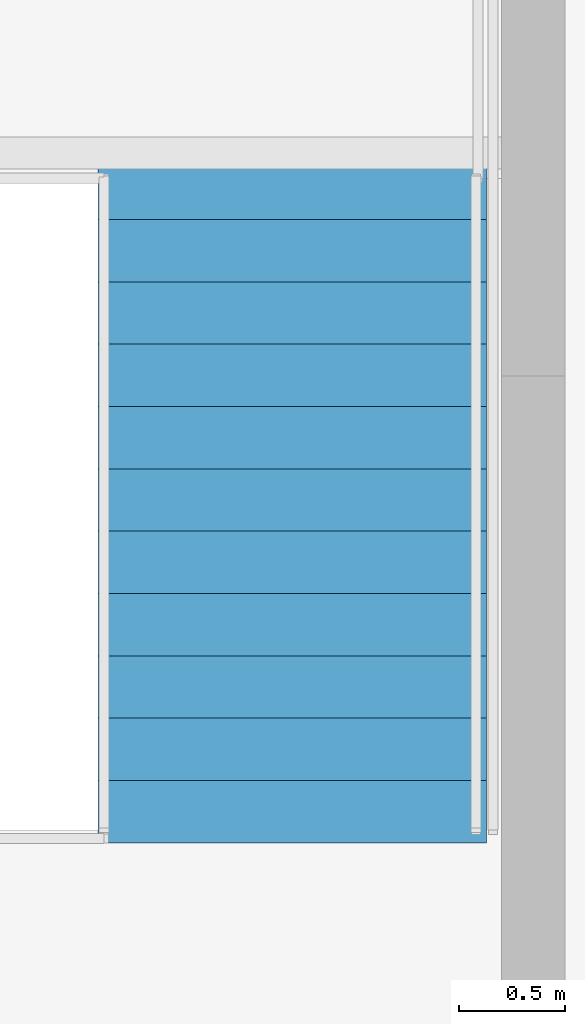
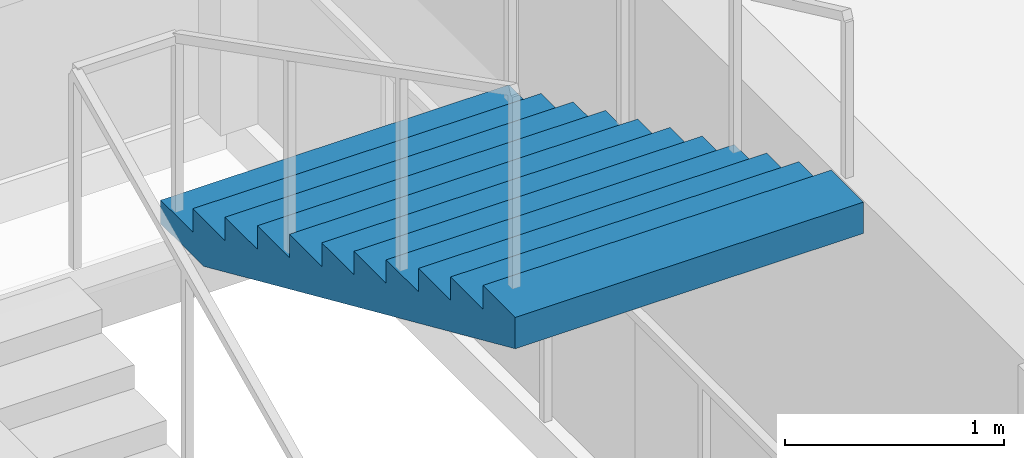
# One storey, part 51 of 54: 1 stair flight, 1 element without a shape of its own.
"""IFC4 building model written with IfcOpenShell, lengths in metres."""

from ifc_helpers import new_model, si_unit, direction, frame, origin, place, context, subcontext, project, spatial, polyline, outline, extrude, material, type_object, element, aggregate, save


model = new_model("IFC4")

# Units and contexts
model_context = context("Model", 3, precision=1e-05, world=origin(), true_north=direction((0.0, 1.0)))
body_context = subcontext(model_context, "Body", "Model", "MODEL_VIEW")
ifc_project = project(units=[si_unit("LENGTHUNIT", "METRE"), si_unit("AREAUNIT", "SQUARE_METRE"), si_unit("VOLUMEUNIT", "CUBIC_METRE"), si_unit("PLANEANGLEUNIT", "RADIAN"), si_unit("MASSUNIT", "GRAM", prefix="KILO")], contexts=[model_context])

# Site, building, storey
site_placement = place(None, origin())
site = spatial("IfcSite", under=ifc_project, at=site_placement, CompositionType="ELEMENT")
building_placement = place(site_placement, origin())
building = spatial("IfcBuilding", under=site, at=building_placement, Name="Taldren Reach Tower", CompositionType="ELEMENT")
storey_placement = place(building_placement, frame((0.0, 0.0, 99.75)))
storey = spatial("IfcBuildingStorey", under=building, at=storey_placement, Name="L30", CompositionType="ELEMENT", Elevation=99.75)

# Stair, stair flight
ifc_material = material(Name="Concrete S50 (50 MPa)", Category="concrete")
stair_type = type_object("IfcStairType", Name="ST-HT-315", PredefinedType="HALF_TURN_STAIR", material=ifc_material)
stair_placement = place(storey_placement, origin())
stair = element("IfcStair", 1, at=stair_placement, inside=storey, type_object=stair_type, Name="Fire-isolated exit stair ST2 L30", PredefinedType="HALF_TURN_STAIR")
stair_flight_type = type_object("IfcStairFlightType", Name="SF-STR-315", PredefinedType="STRAIGHT", material=ifc_material)
stair_flight_placement = place(storey_placement, frame((49.860107421875, 29.235107421875, 1.574951171875), z_axis=(0.0, 0.0, 1.0), x_axis=(0.0, -1.0, 0.0)))
stair_flight = element("IfcStairFlight", 2, at=stair_flight_placement, type_object=stair_flight_type, Name="ST2 flight 2", NumberOfRisers=12, NumberOfTreads=11, PredefinedType="STRAIGHT", RiserHeight=0.13125, TreadLength=0.295, context=body_context, shape_type="SweptSolid", body=[
    extrude(outline(polyline([(0.0, 0.0), (0.0, 0.13134765625), (0.294921875, 0.13134765625), (0.294921875, 0.262451171875), (0.590087890625, 0.262451171875), (0.590087890625, 0.393798828125), (0.885009765625, 0.393798828125), (0.885009765625, 0.52490234375), (1.179931640625, 0.52490234375), (1.179931640625, 0.65625), (1.47509765625, 0.65625), (1.47509765625, 0.78759765625), (1.77001953125, 0.78759765625), (1.77001953125, 0.918701171875), (2.06494140625, 0.918701171875), (2.06494140625, 1.050048828125), (2.360107421875, 1.050048828125), (2.360107421875, 1.18115234375), (2.655029296875, 1.18115234375), (2.655029296875, 1.3125), (2.949951171875, 1.3125), (2.949951171875, 1.44384765625), (3.2451171875, 1.44384765625), (3.2451171875, 1.574951171875), (3.2451171875, 1.268798828125), (0.393310546875, 0.0), (0.0, 0.0)])), frame((0.0, 0.919921875, 0.0), z_axis=(0.0, -1.0, 0.0), x_axis=(1.0, 0.0, 0.0)), (0.0, 0.0, 1.0), 1.840087890625),
])
aggregate(stair, [stair_flight])

save(model, "model.ifc")
